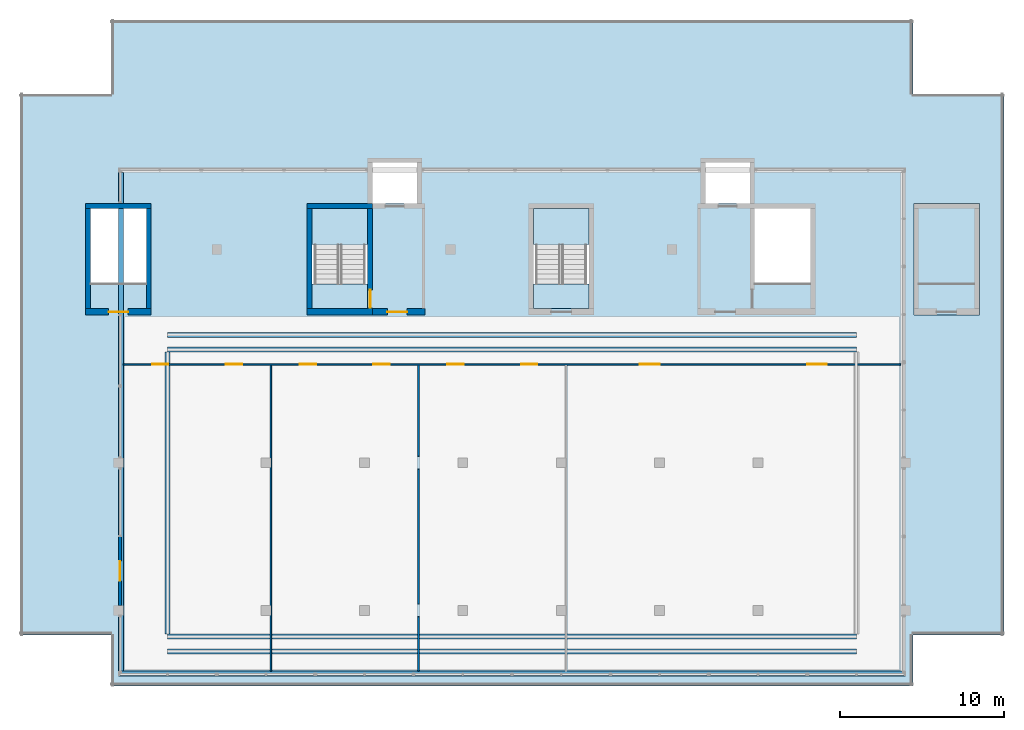
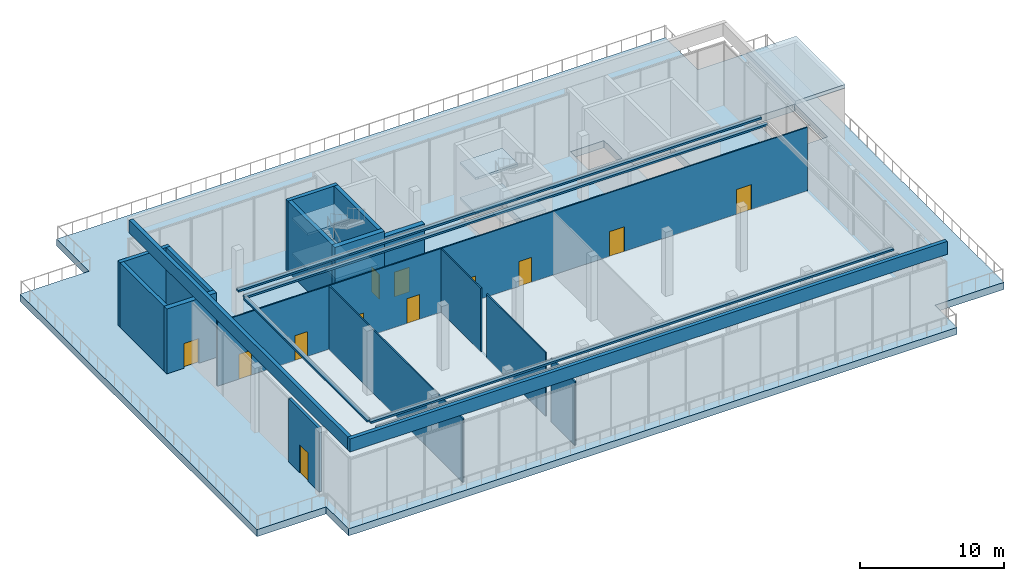
# One storey, part 7 of 11: 22 walls, 12 doors, 8 slabs, 12 openings, 2 elements without a shape of their own.
"""IFC4 building model written with IfcOpenShell, lengths in metres."""

from ifc_helpers import new_model, si_unit, direction, frame, frame_2d, origin, place, context, subcontext, project, spatial, polyline, rectangle, outline, extrude, material, layer, layer_set, type_object, element, fill, aggregate, save


model = new_model("IFC4")

# Units and contexts
model_context = context("Model", 3, precision=1e-05, world=origin(), true_north=direction((0.0, 1.0)))
body_context = subcontext(model_context, "Body", "Model", "MODEL_VIEW")
ifc_project = project(units=[si_unit("LENGTHUNIT", "METRE"), si_unit("AREAUNIT", "SQUARE_METRE"), si_unit("VOLUMEUNIT", "CUBIC_METRE"), si_unit("PLANEANGLEUNIT", "RADIAN"), si_unit("MASSUNIT", "GRAM", prefix="KILO")], contexts=[model_context])

# Site, building, storey
site_placement = place(None, origin())
site = spatial("IfcSite", under=ifc_project, at=site_placement, CompositionType="ELEMENT")
building_placement = place(site_placement, origin())
building = spatial("IfcBuilding", under=site, at=building_placement, Name="Calvaro Tower", CompositionType="ELEMENT")
storey_placement = place(building_placement, frame((0.0, 0.0, 271.949951171875)))
storey = spatial("IfcBuildingStorey", under=building, at=storey_placement, Name="L68", CompositionType="ELEMENT", Elevation=271.949951171875)

# Slabs
ifc_material_1 = material(Name="Concrete C40/50", Category="concrete")
ifc_layer_1 = layer(ifc_material_1, 0.60009765625)
ifc_layer_set_1 = layer_set([ifc_layer_1], Name="Concrete C40/50")
slab_type_1 = type_object("IfcSlabType", Name="Floor slab 600 C40/50", PredefinedType="FLOOR", material=ifc_layer_set_1)
slab_1_placement = place(storey_placement, frame((0.0, 0.0, -0.599853515625)))
element("IfcSlab", 1, at=slab_1_placement, inside=storey, type_object=slab_type_1, Name="Floor slab", PredefinedType="FLOOR", context=body_context, shape_type="SweptSolid", body=[
    extrude(outline(polyline([(60.449951171875, 8.5), (60.449951171875, 5.39990234375), (11.550048828125, 5.39990234375), (11.550048828125, 8.5), (6.0, 8.5), (6.0, 41.5), (11.550048828125, 41.5), (11.550048828125, 46.0), (60.449951171875, 46.0), (60.449951171875, 41.5), (66.0, 41.5), (66.0, 8.5), (60.449951171875, 8.5)]), holes=[polyline([(10.300048828125, 29.909912109375), (10.300048828125, 34.5), (12.0, 34.5), (13.699951171875, 34.5), (13.699951171875, 29.909912109375), (12.0, 29.909912109375), (10.300048828125, 29.909912109375)]), polyline([(23.800048828125, 29.909912109375), (23.800048828125, 34.5), (25.5, 34.5), (27.199951171875, 34.5), (27.199951171875, 29.909912109375), (25.5, 29.909912109375), (23.800048828125, 29.909912109375)]), polyline([(37.300048828125, 29.909912109375), (37.300048828125, 34.5), (39.0, 34.5), (40.699951171875, 34.5), (40.699951171875, 29.909912109375), (39.0, 29.909912109375), (37.300048828125, 29.909912109375)]), polyline([(50.800048828125, 29.909912109375), (50.800048828125, 34.5), (52.5, 34.5), (54.199951171875, 34.5), (54.199951171875, 29.909912109375), (52.5, 29.909912109375), (50.800048828125, 29.909912109375)]), polyline([(60.800048828125, 29.909912109375), (60.800048828125, 34.5), (62.5, 34.5), (64.199951171875, 34.5), (64.199951171875, 29.909912109375), (62.5, 29.909912109375), (60.800048828125, 29.909912109375)]), polyline([(27.5, 34.800048828125), (30.199951171875, 34.800048828125), (30.199951171875, 37.300048828125), (27.5, 37.300048828125), (27.5, 34.800048828125)]), polyline([(47.800048828125, 34.800048828125), (50.5, 34.800048828125), (50.5, 37.300048828125), (47.800048828125, 37.300048828125), (47.800048828125, 34.800048828125)])]), origin(), (0.0, 0.0, 1.0), 0.599853515625),
])
ifc_material_2 = material(Name="Concrete C40/50", Category="concrete")
ifc_layer_2 = layer(ifc_material_2, 0.300048828125)
ifc_layer_set_2 = layer_set([ifc_layer_2], Name="Concrete C40/50")
slab_type_2 = type_object("IfcSlabType", Name="Lift overrun roof", PredefinedType="ROOF", material=ifc_layer_set_2)
slab_2_placement = place(storey_placement, frame((0.0, 0.0, 5.199951171875)))
element("IfcSlab", 2, at=slab_2_placement, inside=storey, type_object=slab_type_2, Name="Lift overrun roof", PredefinedType="ROOF", context=body_context, shape_type="SweptSolid", body=[
    extrude(outline(polyline([(64.5, 28.0), (60.5, 28.0), (60.5, 34.800048828125), (64.5, 34.800048828125), (64.5, 28.0)])), origin(), (0.0, 0.0, 1.0), 0.300048828125),
])

# Stair, slabs
ifc_material_3 = material(Name="Concrete C40/50", Category="concrete")
stair_type = type_object("IfcStairType", Name="Exit stair 1400 4 flights", PredefinedType="DOUBLE_RETURN_STAIR", material=ifc_material_3)
stair_1_placement = place(storey_placement, origin())
stair_1 = element("IfcStair", 3, at=stair_1_placement, inside=storey, type_object=stair_type, Name="Exit stair S2", PredefinedType="DOUBLE_RETURN_STAIR")
ifc_material_4 = material(Name="Concrete C40/50", Category="concrete")
ifc_layer_3 = layer(ifc_material_4, 0.199951171875)
ifc_layer_set_3 = layer_set([ifc_layer_3], Name="Concrete C40/50")
slab_type_3 = type_object("IfcSlabType", Name="Stair landing", PredefinedType="LANDING", material=ifc_layer_set_3)
slab_3_placement = place(storey_placement, frame((0.0, 0.0, 1.300048828125)))
slab_3 = element("IfcSlab", 4, at=slab_3_placement, type_object=slab_type_3, Name="Exit stair 2, landing 1", PredefinedType="LANDING", context=body_context, shape_type="SweptSolid", body=[
    extrude(outline(polyline([(25.39990234375, 32.2900390625), (24.0, 32.2900390625), (24.0, 32.300048828125), (23.800048828125, 32.300048828125), (23.800048828125, 34.5), (24.0, 34.5), (25.39990234375, 34.5), (25.60009765625, 34.5), (27.0, 34.5), (27.199951171875, 34.5), (27.199951171875, 32.300048828125), (27.0, 32.300048828125), (27.0, 32.2900390625), (25.60009765625, 32.2900390625), (25.60009765625, 32.300048828125), (25.39990234375, 32.300048828125), (25.39990234375, 32.2900390625)])), origin(), (0.0, 0.0, 1.0), 0.199951171875),
])
slab_4_placement = place(storey_placement, frame((0.0, 0.0, 2.800048828125)))
slab_4 = element("IfcSlab", 5, at=slab_4_placement, type_object=slab_type_3, Name="Exit stair 2, landing 2", PredefinedType="LANDING", context=body_context, shape_type="SweptSolid", body=[
    extrude(outline(polyline([(27.199951171875, 29.909912109375), (27.199951171875, 28.39990234375), (23.800048828125, 28.39990234375), (23.800048828125, 29.909912109375), (24.0, 29.909912109375), (25.39990234375, 29.909912109375), (27.199951171875, 29.909912109375)])), origin(), (0.0, 0.0, 1.0), 0.199951171875),
])
slab_5_placement = place(storey_placement, frame((0.0, 0.0, 4.300048828125)))
slab_5 = element("IfcSlab", 6, at=slab_5_placement, type_object=slab_type_3, Name="Exit stair 2, landing 3", PredefinedType="LANDING", context=body_context, shape_type="SweptSolid", body=[
    extrude(outline(polyline([(25.39990234375, 32.2900390625), (24.0, 32.2900390625), (24.0, 32.300048828125), (23.800048828125, 32.300048828125), (23.800048828125, 34.5), (24.0, 34.5), (25.39990234375, 34.5), (25.60009765625, 34.5), (27.0, 34.5), (27.199951171875, 34.5), (27.199951171875, 32.300048828125), (27.0, 32.300048828125), (27.0, 32.2900390625), (25.60009765625, 32.2900390625), (25.60009765625, 32.300048828125), (25.39990234375, 32.300048828125), (25.39990234375, 32.2900390625)])), origin(), (0.0, 0.0, 1.0), 0.199951171875),
])
aggregate(stair_1, [slab_3, slab_4, slab_5])

stair_2_placement = place(storey_placement, origin())
stair_2 = element("IfcStair", 7, at=stair_2_placement, inside=storey, type_object=stair_type, Name="Exit stair S3", PredefinedType="DOUBLE_RETURN_STAIR")
slab_6_placement = place(storey_placement, frame((0.0, 0.0, 1.300048828125)))
slab_6 = element("IfcSlab", 8, at=slab_6_placement, type_object=slab_type_3, Name="Exit stair 3, landing 1", PredefinedType="LANDING", context=body_context, shape_type="SweptSolid", body=[
    extrude(outline(polyline([(38.89990234375, 32.2900390625), (37.5, 32.2900390625), (37.5, 32.300048828125), (37.300048828125, 32.300048828125), (37.300048828125, 34.5), (37.5, 34.5), (38.89990234375, 34.5), (39.10009765625, 34.5), (40.5, 34.5), (40.699951171875, 34.5), (40.699951171875, 32.300048828125), (40.5, 32.300048828125), (40.5, 32.2900390625), (39.10009765625, 32.2900390625), (39.10009765625, 32.300048828125), (38.89990234375, 32.300048828125), (38.89990234375, 32.2900390625)])), origin(), (0.0, 0.0, 1.0), 0.199951171875),
])
slab_7_placement = place(storey_placement, frame((0.0, 0.0, 2.800048828125)))
slab_7 = element("IfcSlab", 9, at=slab_7_placement, type_object=slab_type_3, Name="Exit stair 3, landing 2", PredefinedType="LANDING", context=body_context, shape_type="SweptSolid", body=[
    extrude(outline(polyline([(40.699951171875, 29.909912109375), (40.699951171875, 28.39990234375), (37.300048828125, 28.39990234375), (37.300048828125, 29.909912109375), (37.5, 29.909912109375), (38.89990234375, 29.909912109375), (40.699951171875, 29.909912109375)])), origin(), (0.0, 0.0, 1.0), 0.199951171875),
])
slab_8_placement = place(storey_placement, frame((0.0, 0.0, 4.300048828125)))
slab_8 = element("IfcSlab", 10, at=slab_8_placement, type_object=slab_type_3, Name="Exit stair 3, landing 3", PredefinedType="LANDING", context=body_context, shape_type="SweptSolid", body=[
    extrude(outline(polyline([(38.89990234375, 32.2900390625), (37.5, 32.2900390625), (37.5, 32.300048828125), (37.300048828125, 32.300048828125), (37.300048828125, 34.5), (37.5, 34.5), (38.89990234375, 34.5), (39.10009765625, 34.5), (40.5, 34.5), (40.699951171875, 34.5), (40.699951171875, 32.300048828125), (40.5, 32.300048828125), (40.5, 32.2900390625), (39.10009765625, 32.2900390625), (39.10009765625, 32.300048828125), (38.89990234375, 32.300048828125), (38.89990234375, 32.2900390625)])), origin(), (0.0, 0.0, 1.0), 0.199951171875),
])
aggregate(stair_2, [slab_6, slab_7, slab_8])

# Walls
ifc_material_5 = material(Name="Concrete C40/50", Category="concrete")
ifc_layer_4 = layer(ifc_material_5, 0.300048828125)
ifc_layer_set_4 = layer_set([ifc_layer_4], Name="Concrete C40/50")
wall_type_1 = type_object("IfcWallType", Name="BMU rail plinth 300", PredefinedType="SOLIDWALL", material=ifc_layer_set_4)
for number, where, z_axis, x_axis, name in (
    (11, (15.0, 7.5, 6.0), (0.0, 0.0, 1.0), (1.0, 0.0, 0.0), "BMU rail plinth"),
    (12, (15.0, 8.39990234375, 6.0), (0.0, 0.0, 1.0), (1.0, 0.0, 0.0), "BMU rail plinth"),
    (13, (15.0, 26.800048828125, 6.0), (0.0, 0.0, 1.0), (1.0, 0.0, 0.0), "BMU rail plinth"),
    (14, (15.0, 25.89990234375, 6.0), (0.0, 0.0, 1.0), (1.0, 0.0, 0.0), "BMU rail plinth"),
):
    element("IfcWall", number, at=place(storey_placement, frame(where, z_axis=z_axis, x_axis=x_axis)), inside=storey, type_object=wall_type_1, Name=name, PredefinedType="SOLIDWALL", context=body_context, shape_type="SweptSolid", body=[
        extrude(rectangle(XDim=42.0, YDim=0.300048828125, at=frame_2d((21.0, 0.0))), origin(), (0.0, 0.0, 1.0), 0.150146484375),
    ])
wall_1_placement = place(storey_placement, frame((15.0, 8.550048828125, 6.0), z_axis=(0.0, 0.0, 1.0), x_axis=(0.0, 1.0, 0.0)))
element("IfcWall", 15, at=wall_1_placement, inside=storey, type_object=wall_type_1, Name="BMU rail plinth", PredefinedType="SOLIDWALL", context=body_context, shape_type="SweptSolid", body=[
    extrude(rectangle(XDim=17.199951171875, YDim=0.300048828125, at=frame_2d((8.60009765625, 0.0))), origin(), (0.0, 0.0, 1.0), 0.150146484375),
])
ifc_material_6 = material(Name="Concrete C40/50", Category="concrete")
ifc_layer_5 = layer(ifc_material_6, 0.300048828125)
ifc_layer_set_5 = layer_set([ifc_layer_5], Name="Concrete C40/50")
wall_type_2 = type_object("IfcWallType", Name="Core wall C40/50 300", PredefinedType="SHEAR", material=ifc_layer_set_5)
for number, where, z_axis, x_axis, name in (
    (16, (10.14990234375, 28.39990234375, 0.0), (0.0, 0.0, 1.0), (0.0, 1.0, 0.0), "Core wall, stair enclosure"),
    (17, (13.85009765625, 28.39990234375, 0.0), (0.0, 0.0, 1.0), (0.0, 1.0, 0.0), "Core wall, stair enclosure"),
):
    element("IfcWall", number, at=place(storey_placement, frame(where, z_axis=z_axis, x_axis=x_axis)), inside=storey, type_object=wall_type_2, Name=name, PredefinedType="SHEAR", context=body_context, shape_type="SweptSolid", body=[
        extrude(rectangle(XDim=6.10009765625, YDim=0.300048828125, at=frame_2d((3.050048828125, 0.0))), origin(), (0.0, 0.0, 1.0), 5.5),
    ])
wall_2_placement = place(storey_placement, frame((10.0, 34.64990234375, 0.0), z_axis=(0.0, 0.0, 1.0), x_axis=(1.0, 0.0, 0.0)))
element("IfcWall", 18, at=wall_2_placement, inside=storey, type_object=wall_type_2, Name="Core wall, stair enclosure", PredefinedType="SHEAR", context=body_context, shape_type="SweptSolid", body=[
    extrude(rectangle(XDim=4.0, YDim=0.300048828125, at=frame_2d((2.0, 0.0))), origin(), (0.0, 0.0, 1.0), 5.5),
])
wall_3_placement = place(storey_placement, frame((23.64990234375, 28.39990234375, 0.0), z_axis=(0.0, 0.0, 1.0), x_axis=(0.0, 1.0, 0.0)))
element("IfcWall", 19, at=wall_3_placement, inside=storey, type_object=wall_type_2, Name="Core wall, stair enclosure", PredefinedType="SHEAR", context=body_context, shape_type="SweptSolid", body=[
    extrude(rectangle(XDim=6.10009765625, YDim=0.300048828125, at=frame_2d((3.050048828125, 0.0))), origin(), (0.0, 0.0, 1.0), 6.0),
])

# Wall, opening, door
wall_4_placement = place(storey_placement, frame((27.35009765625, 28.39990234375, 0.0), z_axis=(0.0, 0.0, 1.0), x_axis=(0.0, 1.0, 0.0)))
wall_4 = element("IfcWall", 20, at=wall_4_placement, inside=storey, type_object=wall_type_2, Name="Core wall, stair enclosure", PredefinedType="SHEAR", context=body_context, shape_type="SweptSolid", body=[
    extrude(rectangle(XDim=6.10009765625, YDim=0.300048828125, at=frame_2d((3.050048828125, 0.0))), origin(), (0.0, 0.0, 1.0), 6.0),
])
opening_1_placement = place(wall_4_placement, frame((0.050048828125, 0.0, 0.0)))
opening_1 = element("IfcOpeningElement", 21, at=opening_1_placement, cuts=wall_4, Name="Opening FD11D", PredefinedType="OPENING", context=body_context, shape_type="SweptSolid", body=[
    extrude(rectangle(XDim=1.10009765625, YDim=2.10009765625, at=frame_2d((0.550048828125, 1.050048828125))), frame((0.0, 0.159912109375, 0.0), z_axis=(0.0, -1.0, 0.0), x_axis=(1.0, 0.0, 0.0)), (0.0, 0.0, 1.0), 0.320068359375),
])
ifc_material_7 = material(Name="Steel door set", Category="steel")
door_type_1 = type_object("IfcDoorType", Name="Fire door 1100 FD30S", OperationType="SINGLE_SWING_LEFT", PredefinedType="DOOR", material=ifc_material_7)
door_1_placement = place(opening_1_placement, origin())
door_1 = element("IfcDoor", 22, at=door_1_placement, inside=storey, type_object=door_type_1, Name="Fire door", OperationType="SINGLE_SWING_LEFT", OverallHeight=2.10009765625, OverallWidth=1.10009765625, PredefinedType="DOOR", context=body_context, shape_type="SweptSolid", body=[
    extrude(rectangle(XDim=1.10009765625, YDim=2.10009765625, at=frame_2d((0.550048828125, 1.050048828125))), frame((0.0, 0.02490234375, 0.0), z_axis=(0.0, -1.0, 0.0), x_axis=(1.0, 0.0, 0.0)), (0.0, 0.0, 1.0), 0.050048828125),
])
fill(opening_1, door_1)

# Wall
wall_5_placement = place(storey_placement, frame((23.5, 34.64990234375, 0.0), z_axis=(0.0, 0.0, 1.0), x_axis=(1.0, 0.0, 0.0)))
element("IfcWall", 23, at=wall_5_placement, inside=storey, type_object=wall_type_2, Name="Core wall, stair enclosure", PredefinedType="SHEAR", context=body_context, shape_type="SweptSolid", body=[
    extrude(rectangle(XDim=4.0, YDim=0.300048828125, at=frame_2d((2.0, 0.0))), origin(), (0.0, 0.0, 1.0), 6.0),
])

# Wall, opening, door
ifc_material_8 = material(Name="Concrete C40/50", Category="concrete")
ifc_layer_6 = layer(ifc_material_8, 0.39990234375)
ifc_layer_set_6 = layer_set([ifc_layer_6], Name="Concrete C40/50")
wall_type_3 = type_object("IfcWallType", Name="Core wall C40/50 400", PredefinedType="SHEAR", material=ifc_layer_set_6)
wall_6_placement = place(storey_placement, frame((10.0, 28.199951171875, 0.0), z_axis=(0.0, 0.0, 1.0), x_axis=(1.0, 0.0, 0.0)))
wall_6 = element("IfcWall", 24, at=wall_6_placement, inside=storey, type_object=wall_type_3, Name="Core wall, front", PredefinedType="SHEAR", context=body_context, shape_type="SweptSolid", body=[
    extrude(rectangle(XDim=4.0, YDim=0.39990234375, at=frame_2d((2.0, 0.0))), origin(), (0.0, 0.0, 1.0), 5.5),
])
opening_2_placement = place(wall_6_placement, frame((1.39990234375, 0.0, 0.0)))
opening_2 = element("IfcOpeningElement", 25, at=opening_2_placement, cuts=wall_6, Name="Opening SD12D", PredefinedType="OPENING", context=body_context, shape_type="SweptSolid", body=[
    extrude(rectangle(XDim=1.199951171875, YDim=2.10009765625, at=frame_2d((0.60009765625, 1.050048828125))), frame((0.0, 0.2099609375, 0.0), z_axis=(0.0, -1.0, 0.0), x_axis=(1.0, 0.0, 0.0)), (0.0, 0.0, 1.0), 0.419921875),
])
ifc_material_9 = material(Name="Steel door set", Category="steel")
door_type_2 = type_object("IfcDoorType", Name="Stair door 1200 FD30S", OperationType="SINGLE_SWING_LEFT", PredefinedType="DOOR", material=ifc_material_9)
door_2_placement = place(opening_2_placement, frame((1.199951171875, 0.0, 0.0), z_axis=(0.0, 0.0, 1.0), x_axis=(-1.0, 0.0, 0.0)))
door_2 = element("IfcDoor", 26, at=door_2_placement, inside=storey, type_object=door_type_2, Name="Stair door", OperationType="SINGLE_SWING_RIGHT", OverallHeight=2.10009765625, OverallWidth=1.199951171875, PredefinedType="DOOR", context=body_context, shape_type="SweptSolid", body=[
    extrude(rectangle(XDim=1.199951171875, YDim=2.10009765625, at=frame_2d((0.60009765625, 1.050048828125))), frame((0.0, 0.02490234375, 0.0), z_axis=(0.0, -1.0, 0.0), x_axis=(1.0, 0.0, 0.0)), (0.0, 0.0, 1.0), 0.050048828125),
])
fill(opening_2, door_2)

# Wall
wall_7_placement = place(storey_placement, frame((23.5, 28.199951171875, 0.0), z_axis=(0.0, 0.0, 1.0), x_axis=(1.0, 0.0, 0.0)))
element("IfcWall", 27, at=wall_7_placement, inside=storey, type_object=wall_type_3, Name="Core wall, front", PredefinedType="SHEAR", context=body_context, shape_type="SweptSolid", body=[
    extrude(rectangle(XDim=4.0, YDim=0.39990234375, at=frame_2d((2.0, 0.0))), origin(), (0.0, 0.0, 1.0), 6.0),
])

# Wall, opening, door
wall_8_placement = place(storey_placement, frame((27.5, 28.199951171875, 0.0), z_axis=(0.0, 0.0, 1.0), x_axis=(1.0, 0.0, 0.0)))
wall_8 = element("IfcWall", 28, at=wall_8_placement, inside=storey, type_object=wall_type_3, Name="Core wall, front", PredefinedType="SHEAR", context=body_context, shape_type="SweptSolid", body=[
    extrude(rectangle(XDim=3.199951171875, YDim=0.39990234375, at=frame_2d((1.60009765625, 0.0))), origin(), (0.0, 0.0, 1.0), 5.5),
])
opening_3_placement = place(wall_8_placement, frame((0.89990234375, 0.0, 0.0)))
opening_3 = element("IfcOpeningElement", 29, at=opening_3_placement, cuts=wall_8, Name="Opening FD12F", PredefinedType="OPENING", context=body_context, shape_type="SweptSolid", body=[
    extrude(rectangle(XDim=1.199951171875, YDim=2.10009765625, at=frame_2d((0.60009765625, 1.050048828125))), frame((0.0, 0.2099609375, 0.0), z_axis=(0.0, -1.0, 0.0), x_axis=(1.0, 0.0, 0.0)), (0.0, 0.0, 1.0), 0.419921875),
])
ifc_material_10 = material(Name="Steel door set", Category="steel")
door_type_3 = type_object("IfcDoorType", Name="Fire door 1200 FD60S", OperationType="SINGLE_SWING_LEFT", PredefinedType="DOOR", material=ifc_material_10)
door_3_placement = place(opening_3_placement, origin())
door_3 = element("IfcDoor", 30, at=door_3_placement, inside=storey, type_object=door_type_3, Name="Fire door", OperationType="SINGLE_SWING_LEFT", OverallHeight=2.10009765625, OverallWidth=1.199951171875, PredefinedType="DOOR", context=body_context, shape_type="SweptSolid", body=[
    extrude(rectangle(XDim=1.199951171875, YDim=2.10009765625, at=frame_2d((0.60009765625, 1.050048828125))), frame((0.0, 0.02490234375, 0.0), z_axis=(0.0, -1.0, 0.0), x_axis=(1.0, 0.0, 0.0)), (0.0, 0.0, 1.0), 0.050048828125),
])
fill(opening_3, door_3)

ifc_material_11 = material(Name="Anodised aluminium", Category="aluminium")
ifc_layer_7 = layer(ifc_material_11, 0.199951171875)
ifc_layer_set_7 = layer_set([ifc_layer_7], Name="Anodised aluminium")
wall_type_4 = type_object("IfcWallType", Name="Insulated door wall 200", PredefinedType="SOLIDWALL", material=ifc_layer_set_7)
wall_9_placement = place(storey_placement, frame((12.10009765625, 10.300048828125, 0.0), z_axis=(0.0, 0.0, 1.0), x_axis=(0.0, 1.0, 0.0)))
wall_9 = element("IfcWall", 31, at=wall_9_placement, inside=storey, type_object=wall_type_4, Name="Door wall", PredefinedType="SOLIDWALL", context=body_context, shape_type="SweptSolid", body=[
    extrude(rectangle(XDim=4.199951171875, YDim=0.199951171875, at=frame_2d((2.10009765625, 0.0))), origin(), (0.0, 0.0, 1.0), 5.400146484375),
])
opening_4_placement = place(wall_9_placement, frame((1.5, 0.0, 0.0)))
opening_4 = element("IfcOpeningElement", 32, at=opening_4_placement, cuts=wall_9, Name="Opening DT22", PredefinedType="OPENING", context=body_context, shape_type="SweptSolid", body=[
    extrude(rectangle(XDim=1.199951171875, YDim=2.39990234375, at=frame_2d((0.60009765625, 1.199951171875))), frame((0.0, 0.10986328125, 0.0), z_axis=(0.0, -1.0, 0.0), x_axis=(1.0, 0.0, 0.0)), (0.0, 0.0, 1.0), 0.219970703125),
])
ifc_material_12 = material(Name="Glass", Category="glass")
door_type_4 = type_object("IfcDoorType", Name="Louvred plant access door 1200 x 2400", OperationType="SINGLE_SWING_RIGHT", PredefinedType="DOOR", material=ifc_material_12)
door_4_placement = place(opening_4_placement, origin())
door_4 = element("IfcDoor", 33, at=door_4_placement, inside=storey, type_object=door_type_4, Name="Plant access door", OperationType="SINGLE_SWING_RIGHT", OverallHeight=2.39990234375, OverallWidth=1.199951171875, PredefinedType="DOOR", context=body_context, shape_type="SweptSolid", body=[
    extrude(rectangle(XDim=1.199951171875, YDim=2.39990234375, at=frame_2d((0.60009765625, 1.199951171875))), frame((0.0, 0.02490234375, 0.0), z_axis=(0.0, -1.0, 0.0), x_axis=(1.0, 0.0, 0.0)), (0.0, 0.0, 1.0), 0.050048828125),
])
fill(opening_4, door_4)

# Wall, openings, doors
ifc_material_13 = material(Name="Plasterboard on steel studs", Category="steel")
ifc_layer_8 = layer(ifc_material_13, 0.10009765625)
ifc_layer_set_8 = layer_set([ifc_layer_8], Name="Plasterboard on steel studs")
wall_type_5 = type_object("IfcWallType", Name="Partition 100 REI 120", PredefinedType="PARTITIONING", material=ifc_layer_set_8)
wall_10_placement = place(storey_placement, frame((12.300048828125, 25.0, 0.0), z_axis=(0.0, 0.0, 1.0), x_axis=(1.0, 0.0, 0.0)))
wall_10 = element("IfcWall", 34, at=wall_10_placement, inside=storey, type_object=wall_type_5, Name="Partition T40.W001", PredefinedType="PARTITIONING", context=body_context, shape_type="SweptSolid", body=[
    extrude(rectangle(XDim=47.39990234375, YDim=0.10009765625, at=frame_2d((23.699951171875, 0.0))), origin(), (0.0, 0.0, 1.0), 5.400146484375),
])
opening_5_placement = place(wall_10_placement, frame((19.75, 0.0, 0.0)))
opening_5 = element("IfcOpeningElement", 35, at=opening_5_placement, cuts=wall_10, Name="Opening T40.001", PredefinedType="OPENING", context=body_context, shape_type="SweptSolid", body=[
    extrude(rectangle(XDim=1.0, YDim=2.10009765625, at=frame_2d((0.5, 1.050048828125))), frame((0.0, 0.06005859375, 0.0), z_axis=(0.0, -1.0, 0.0), x_axis=(1.0, 0.0, 0.0)), (0.0, 0.0, 1.0), 0.1201171875),
])
opening_6_placement = place(wall_10_placement, frame((24.25, 0.0, 0.0)))
opening_6 = element("IfcOpeningElement", 36, at=opening_6_placement, cuts=wall_10, Name="Opening T40.002", PredefinedType="OPENING", context=body_context, shape_type="SweptSolid", body=[
    extrude(rectangle(XDim=1.0, YDim=2.10009765625, at=frame_2d((0.5, 1.050048828125))), frame((0.0, 0.06005859375, 0.0), z_axis=(0.0, -1.0, 0.0), x_axis=(1.0, 0.0, 0.0)), (0.0, 0.0, 1.0), 0.1201171875),
])
opening_7_placement = place(wall_10_placement, frame((1.75, 0.0, 0.0)))
opening_7 = element("IfcOpeningElement", 37, at=opening_7_placement, cuts=wall_10, Name="Opening T40.003", PredefinedType="OPENING", context=body_context, shape_type="SweptSolid", body=[
    extrude(rectangle(XDim=1.0, YDim=2.10009765625, at=frame_2d((0.5, 1.050048828125))), frame((0.0, 0.06005859375, 0.0), z_axis=(0.0, -1.0, 0.0), x_axis=(1.0, 0.0, 0.0)), (0.0, 0.0, 1.0), 0.1201171875),
])
opening_8_placement = place(wall_10_placement, frame((6.25, 0.0, 0.0)))
opening_8 = element("IfcOpeningElement", 38, at=opening_8_placement, cuts=wall_10, Name="Opening T40.004", PredefinedType="OPENING", context=body_context, shape_type="SweptSolid", body=[
    extrude(rectangle(XDim=1.0, YDim=2.10009765625, at=frame_2d((0.5, 1.050048828125))), frame((0.0, 0.06005859375, 0.0), z_axis=(0.0, -1.0, 0.0), x_axis=(1.0, 0.0, 0.0)), (0.0, 0.0, 1.0), 0.1201171875),
])
opening_9_placement = place(wall_10_placement, frame((10.75, 0.0, 0.0)))
opening_9 = element("IfcOpeningElement", 39, at=opening_9_placement, cuts=wall_10, Name="Opening T40.005", PredefinedType="OPENING", context=body_context, shape_type="SweptSolid", body=[
    extrude(rectangle(XDim=1.0, YDim=2.10009765625, at=frame_2d((0.5, 1.050048828125))), frame((0.0, 0.06005859375, 0.0), z_axis=(0.0, -1.0, 0.0), x_axis=(1.0, 0.0, 0.0)), (0.0, 0.0, 1.0), 0.1201171875),
])
opening_10_placement = place(wall_10_placement, frame((15.25, 0.0, 0.0)))
opening_10 = element("IfcOpeningElement", 40, at=opening_10_placement, cuts=wall_10, Name="Opening T40.006", PredefinedType="OPENING", context=body_context, shape_type="SweptSolid", body=[
    extrude(rectangle(XDim=1.0, YDim=2.10009765625, at=frame_2d((0.5, 1.050048828125))), frame((0.0, 0.06005859375, 0.0), z_axis=(0.0, -1.0, 0.0), x_axis=(1.0, 0.0, 0.0)), (0.0, 0.0, 1.0), 0.1201171875),
])
opening_11_placement = place(wall_10_placement, frame((31.5, 0.0, 0.0)))
opening_11 = element("IfcOpeningElement", 41, at=opening_11_placement, cuts=wall_10, Name="Opening T40.007", PredefinedType="OPENING", context=body_context, shape_type="SweptSolid", body=[
    extrude(rectangle(XDim=1.199951171875, YDim=2.10009765625, at=frame_2d((0.60009765625, 1.050048828125))), frame((0.0, 0.06005859375, 0.0), z_axis=(0.0, -1.0, 0.0), x_axis=(1.0, 0.0, 0.0)), (0.0, 0.0, 1.0), 0.1201171875),
])
opening_12_placement = place(wall_10_placement, frame((41.699951171875, 0.0, 0.0)))
opening_12 = element("IfcOpeningElement", 42, at=opening_12_placement, cuts=wall_10, Name="Opening T40.008", PredefinedType="OPENING", context=body_context, shape_type="SweptSolid", body=[
    extrude(rectangle(XDim=1.199951171875, YDim=2.10009765625, at=frame_2d((0.60009765625, 1.050048828125))), frame((0.0, 0.06005859375, 0.0), z_axis=(0.0, -1.0, 0.0), x_axis=(1.0, 0.0, 0.0)), (0.0, 0.0, 1.0), 0.1201171875),
])
ifc_material_14 = material(Name="Timber", Category="wood")
door_type_5 = type_object("IfcDoorType", Name="Internal single door 1000 x 2100 FD60", OperationType="SINGLE_SWING_LEFT", PredefinedType="DOOR", material=ifc_material_14)
door_5_placement = place(opening_5_placement, origin())
door_5 = element("IfcDoor", 43, at=door_5_placement, inside=storey, type_object=door_type_5, Name="Door T40.001", OperationType="SINGLE_SWING_LEFT", OverallHeight=2.10009765625, OverallWidth=1.0, PredefinedType="DOOR", context=body_context, shape_type="SweptSolid", body=[
    extrude(rectangle(XDim=1.0, YDim=2.10009765625, at=frame_2d((0.5, 1.050048828125))), frame((0.0, 0.02490234375, 0.0), z_axis=(0.0, -1.0, 0.0), x_axis=(1.0, 0.0, 0.0)), (0.0, 0.0, 1.0), 0.050048828125),
])
fill(opening_5, door_5)
door_6_placement = place(opening_6_placement, origin())
door_6 = element("IfcDoor", 44, at=door_6_placement, inside=storey, type_object=door_type_5, Name="Door T40.002", OperationType="SINGLE_SWING_RIGHT", OverallHeight=2.10009765625, OverallWidth=1.0, PredefinedType="DOOR", context=body_context, shape_type="SweptSolid", body=[
    extrude(rectangle(XDim=1.0, YDim=2.10009765625, at=frame_2d((0.5, 1.050048828125))), frame((0.0, 0.02490234375, 0.0), z_axis=(0.0, -1.0, 0.0), x_axis=(1.0, 0.0, 0.0)), (0.0, 0.0, 1.0), 0.050048828125),
])
fill(opening_6, door_6)
door_7_placement = place(opening_7_placement, origin())
door_7 = element("IfcDoor", 45, at=door_7_placement, inside=storey, type_object=door_type_5, Name="Door T40.003", OperationType="SINGLE_SWING_LEFT", OverallHeight=2.10009765625, OverallWidth=1.0, PredefinedType="DOOR", context=body_context, shape_type="SweptSolid", body=[
    extrude(rectangle(XDim=1.0, YDim=2.10009765625, at=frame_2d((0.5, 1.050048828125))), frame((0.0, 0.02490234375, 0.0), z_axis=(0.0, -1.0, 0.0), x_axis=(1.0, 0.0, 0.0)), (0.0, 0.0, 1.0), 0.050048828125),
])
fill(opening_7, door_7)
door_8_placement = place(opening_8_placement, origin())
door_8 = element("IfcDoor", 46, at=door_8_placement, inside=storey, type_object=door_type_5, Name="Door T40.004", OperationType="SINGLE_SWING_LEFT", OverallHeight=2.10009765625, OverallWidth=1.0, PredefinedType="DOOR", context=body_context, shape_type="SweptSolid", body=[
    extrude(rectangle(XDim=1.0, YDim=2.10009765625, at=frame_2d((0.5, 1.050048828125))), frame((0.0, 0.02490234375, 0.0), z_axis=(0.0, -1.0, 0.0), x_axis=(1.0, 0.0, 0.0)), (0.0, 0.0, 1.0), 0.050048828125),
])
fill(opening_8, door_8)
door_9_placement = place(opening_9_placement, origin())
door_9 = element("IfcDoor", 47, at=door_9_placement, inside=storey, type_object=door_type_5, Name="Door T40.005", OperationType="SINGLE_SWING_LEFT", OverallHeight=2.10009765625, OverallWidth=1.0, PredefinedType="DOOR", context=body_context, shape_type="SweptSolid", body=[
    extrude(rectangle(XDim=1.0, YDim=2.10009765625, at=frame_2d((0.5, 1.050048828125))), frame((0.0, 0.02490234375, 0.0), z_axis=(0.0, -1.0, 0.0), x_axis=(1.0, 0.0, 0.0)), (0.0, 0.0, 1.0), 0.050048828125),
])
fill(opening_9, door_9)
door_10_placement = place(opening_10_placement, origin())
door_10 = element("IfcDoor", 48, at=door_10_placement, inside=storey, type_object=door_type_5, Name="Door T40.006", OperationType="SINGLE_SWING_LEFT", OverallHeight=2.10009765625, OverallWidth=1.0, PredefinedType="DOOR", context=body_context, shape_type="SweptSolid", body=[
    extrude(rectangle(XDim=1.0, YDim=2.10009765625, at=frame_2d((0.5, 1.050048828125))), frame((0.0, 0.02490234375, 0.0), z_axis=(0.0, -1.0, 0.0), x_axis=(1.0, 0.0, 0.0)), (0.0, 0.0, 1.0), 0.050048828125),
])
fill(opening_10, door_10)
ifc_material_15 = material(Name="Timber", Category="wood")
door_type_6 = type_object("IfcDoorType", Name="Internal single door 1200 x 2100", OperationType="SINGLE_SWING_LEFT", PredefinedType="DOOR", material=ifc_material_15)
door_11_placement = place(opening_11_placement, origin())
door_11 = element("IfcDoor", 49, at=door_11_placement, inside=storey, type_object=door_type_6, Name="Door T40.007", OperationType="SINGLE_SWING_RIGHT", OverallHeight=2.10009765625, OverallWidth=1.199951171875, PredefinedType="DOOR", context=body_context, shape_type="SweptSolid", body=[
    extrude(rectangle(XDim=1.199951171875, YDim=2.10009765625, at=frame_2d((0.60009765625, 1.050048828125))), frame((0.0, 0.02490234375, 0.0), z_axis=(0.0, -1.0, 0.0), x_axis=(1.0, 0.0, 0.0)), (0.0, 0.0, 1.0), 0.050048828125),
])
fill(opening_11, door_11)
door_12_placement = place(opening_12_placement, origin())
door_12 = element("IfcDoor", 50, at=door_12_placement, inside=storey, type_object=door_type_6, Name="Door T40.008", OperationType="SINGLE_SWING_RIGHT", OverallHeight=2.10009765625, OverallWidth=1.199951171875, PredefinedType="DOOR", context=body_context, shape_type="SweptSolid", body=[
    extrude(rectangle(XDim=1.199951171875, YDim=2.10009765625, at=frame_2d((0.60009765625, 1.050048828125))), frame((0.0, 0.02490234375, 0.0), z_axis=(0.0, -1.0, 0.0), x_axis=(1.0, 0.0, 0.0)), (0.0, 0.0, 1.0), 0.050048828125),
])
fill(opening_12, door_12)

# Walls
wall_11_placement = place(storey_placement, frame((21.300048828125, 6.300048828125, 0.0), z_axis=(0.0, 0.0, 1.0), x_axis=(0.0, 1.0, 0.0)))
element("IfcWall", 51, at=wall_11_placement, inside=storey, type_object=wall_type_5, Name="Partition T40.W002", PredefinedType="PARTITIONING", context=body_context, shape_type="SweptSolid", body=[
    extrude(rectangle(XDim=18.64990234375, YDim=0.10009765625, at=frame_2d((9.324951171875, 0.0))), origin(), (0.0, 0.0, 1.0), 5.400146484375),
])
wall_12_placement = place(storey_placement, frame((30.300048828125, 6.300048828125, 0.0), z_axis=(0.0, 0.0, 1.0), x_axis=(0.0, 1.0, 0.0)))
element("IfcWall", 52, at=wall_12_placement, inside=storey, type_object=wall_type_5, Name="Partition T40.W003", PredefinedType="PARTITIONING", context=body_context, shape_type="SweptSolid", body=[
    extrude(rectangle(XDim=3.300048828125, YDim=0.10009765625, at=frame_2d((1.64990234375, 0.0))), origin(), (0.0, 0.0, 1.0), 5.400146484375),
])
wall_13_placement = place(storey_placement, frame((30.300048828125, 10.39990234375, 0.0), z_axis=(0.0, 0.0, 1.0), x_axis=(0.0, 1.0, 0.0)))
element("IfcWall", 53, at=wall_13_placement, inside=storey, type_object=wall_type_5, Name="Partition T40.W004", PredefinedType="PARTITIONING", context=body_context, shape_type="SweptSolid", body=[
    extrude(rectangle(XDim=8.2001953125, YDim=0.10009765625, at=frame_2d((4.10009765625, 0.0))), origin(), (0.0, 0.0, 1.0), 5.400146484375),
])
wall_14_placement = place(storey_placement, frame((30.300048828125, 19.39990234375, 0.0), z_axis=(0.0, 0.0, 1.0), x_axis=(0.0, 1.0, 0.0)))
element("IfcWall", 54, at=wall_14_placement, inside=storey, type_object=wall_type_5, Name="Partition T40.W005", PredefinedType="PARTITIONING", context=body_context, shape_type="SweptSolid", body=[
    extrude(rectangle(XDim=5.550048828125, YDim=0.10009765625, at=frame_2d((2.77490234375, 0.0))), origin(), (0.0, 0.0, 1.0), 5.400146484375),
])
ifc_material_16 = material(Name="Concrete C40/50", Category="concrete")
ifc_layer_9 = layer(ifc_material_16, 0.25, Name="Structure")
ifc_material_17 = material(Name="Reconstituted stone coping")
ifc_layer_10 = layer(ifc_material_17, 0.050048828125, Name="Finish")
ifc_layer_set_9 = layer_set([ifc_layer_9, ifc_layer_10], Name="Concrete C40/50")
wall_type_6 = type_object("IfcWallType", Name="Roof parapet 300", PredefinedType="PARAPET", material=ifc_layer_set_9)
wall_15_placement = place(storey_placement, frame((12.0, 6.14990234375, 6.0), z_axis=(0.0, 0.0, 1.0), x_axis=(1.0, 0.0, 0.0)))
element("IfcWall", 55, at=wall_15_placement, inside=storey, type_object=wall_type_6, Name="Roof parapet", PredefinedType="PARAPET", context=body_context, shape_type="SweptSolid", body=[
    extrude(rectangle(XDim=48.0, YDim=0.300048828125, at=frame_2d((24.0, 0.0))), origin(), (0.0, 0.0, 1.0), 1.10009765625),
])
wall_16_placement = place(storey_placement, frame((12.14990234375, 6.300048828125, 6.0), z_axis=(0.0, 0.0, 1.0), x_axis=(0.0, 1.0, 0.0)))
element("IfcWall", 56, at=wall_16_placement, inside=storey, type_object=wall_type_6, Name="Roof parapet", PredefinedType="PARAPET", context=body_context, shape_type="SweptSolid", body=[
    extrude(rectangle(XDim=30.39990234375, YDim=0.300048828125, at=frame_2d((15.199951171875, 0.0))), origin(), (0.0, 0.0, 1.0), 1.10009765625),
])

save(model, "model.ifc")
